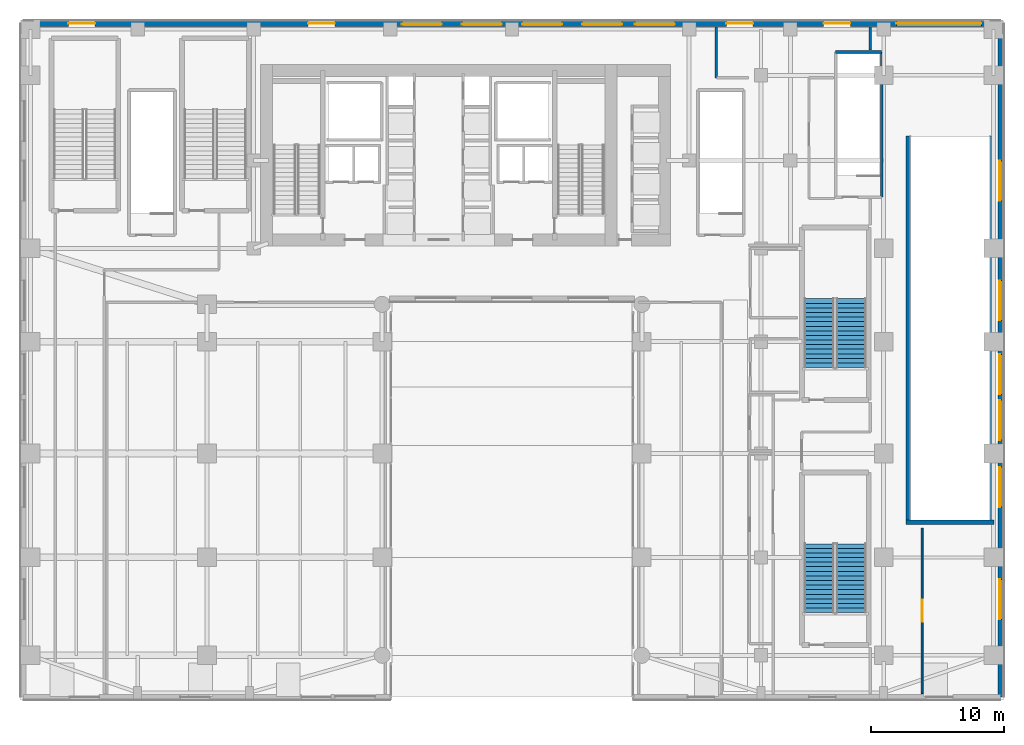
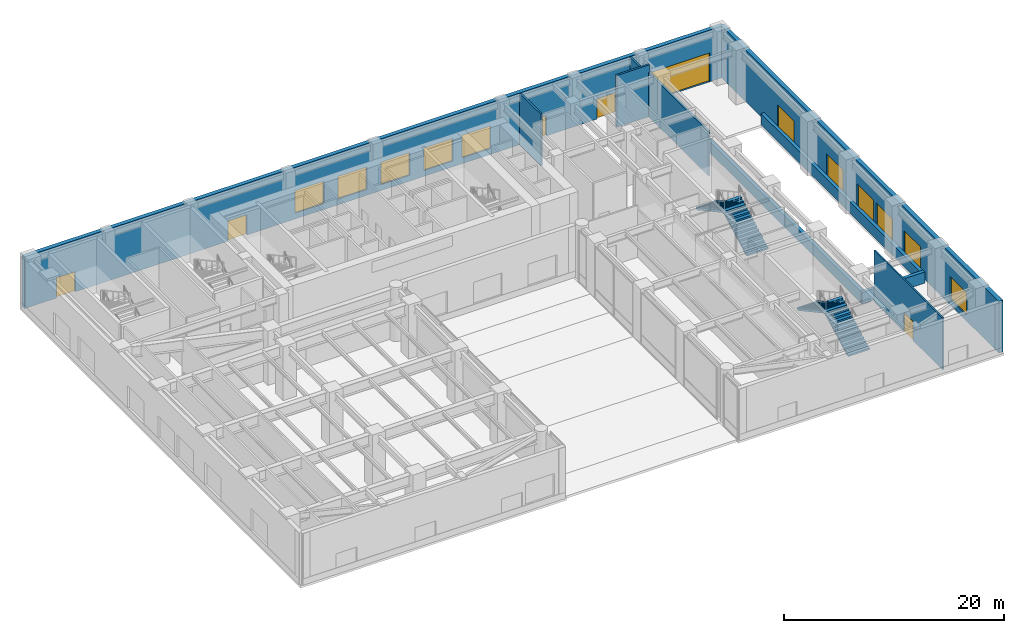
# One storey, part 17 of 28: 11 windows, 10 walls, 6 doors, 4 stair flights, 17 openings, 2 elements without a shape of their own.
"""IFC4 building model written with IfcOpenShell, lengths in metres."""

from ifc_helpers import new_model, si_unit, direction, frame, frame_2d, origin, place, context, subcontext, project, spatial, polyline, rectangle, outline, extrude, source, transform, mapped, material, layer, layer_set, type_object, type_shapes, element, fill, aggregate, save


model = new_model("IFC4")

# Units and contexts
model_context = context("Model", 3, precision=1e-05, world=origin(), true_north=direction((0.0, 1.0)))
body_context = subcontext(model_context, "Body", "Model", "MODEL_VIEW")
ifc_project = project(units=[si_unit("LENGTHUNIT", "METRE"), si_unit("AREAUNIT", "SQUARE_METRE"), si_unit("VOLUMEUNIT", "CUBIC_METRE"), si_unit("PLANEANGLEUNIT", "RADIAN"), si_unit("MASSUNIT", "GRAM", prefix="KILO")], contexts=[model_context])

# Site, building, storey
site_placement = place(None, origin())
site = spatial("IfcSite", under=ifc_project, at=site_placement, CompositionType="ELEMENT")
building_placement = place(site_placement, origin())
building = spatial("IfcBuilding", under=site, at=building_placement, Name="Tolvann Quenvar Hotel", CompositionType="ELEMENT")
storey_placement = place(building_placement, origin())
storey = spatial("IfcBuildingStorey", under=building, at=storey_placement, Name="L00", CompositionType="ELEMENT", Elevation=0.0)

# Walls
ifc_material_1 = material(Name="Concrete S65 (65 MPa)", Category="concrete")
ifc_layer_1 = layer(ifc_material_1, 0.35009765625)
ifc_layer_set_1 = layer_set([ifc_layer_1], Name="Concrete S65 (65 MPa)")
wall_type_1 = type_object("IfcWallType", Name="WALL_CORE_INT_350", PredefinedType="SHEAR", material=ifc_layer_set_1)
for number, where, z_axis, x_axis, name in (
    (1, (58.27490234375, 10.85009765625, 0.0), (0.0, 0.0, 1.0), (0.0, 1.0, 0.0), "Vehicle Ramp Head Guard Wall W (L00)"),
    (2, (64.52490234375, 10.85009765625, 0.0), (0.0, 0.0, 1.0), (0.0, 1.0, 0.0), "Vehicle Ramp Head Guard Wall E (L00)"),
):
    element("IfcWall", number, at=place(storey_placement, frame(where, z_axis=z_axis, x_axis=x_axis)), inside=storey, type_object=wall_type_1, Name=name, PredefinedType="SHEAR", context=body_context, shape_type="SweptSolid", body=[
        extrude(rectangle(XDim=29.0, YDim=0.35009765625, at=frame_2d((14.5, 0.0))), origin(), (0.0, 0.0, 1.0), 1.25),
    ])
wall_1_placement = place(storey_placement, frame((58.10009765625, 10.85009765625, 0.0), z_axis=(0.0, 0.0, 1.0), x_axis=(1.0, 0.0, 0.0)))
element("IfcWall", 3, at=wall_1_placement, inside=storey, type_object=wall_type_1, Name="Vehicle Ramp Head Guard Wall S (L00)", PredefinedType="SHEAR", context=body_context, shape_type="SweptSolid", body=[
    extrude(rectangle(XDim=6.599853515625, YDim=0.35009765625, at=frame_2d((3.2998046875, 0.0))), origin(), (0.0, 0.0, 1.0), 1.25),
])

# Wall, openings, windows
ifc_material_2 = material(Name="Kiln-fired red and buff architectural clay brickwork and terracotta masonry", Category="masonry")
ifc_layer_2 = layer(ifc_material_2, 0.419921875)
ifc_layer_set_2 = layer_set([ifc_layer_2], Name="Kiln-fired red and buff architectural clay brickwork and terracotta masonry")
wall_type_2 = type_object("IfcWallType", Name="WALL_EXT_POD_420", PredefinedType="SOLIDWALL", material=ifc_layer_set_2)
wall_2_placement = place(storey_placement, frame((65.18994140625, -2.2900390625, 0.0), z_axis=(0.0, 0.0, 1.0), x_axis=(0.0, 1.0, 0.0)))
wall_2 = element("IfcWall", 4, at=wall_2_placement, inside=storey, type_object=wall_type_2, Name="Exterior Chicago Brick Wall L00-E05", PredefinedType="SOLIDWALL", context=body_context, shape_type="SweptSolid", body=[
    extrude(rectangle(XDim=50.580078125, YDim=0.419921875, at=frame_2d((25.2900390625, 0.0))), origin(), (0.0, 0.0, 1.0), 5.739990234375),
])
opening_1_placement = place(wall_2_placement, frame((5.833984375, 0.0, 0.64990234375)))
opening_1 = element("IfcOpeningElement", 5, at=opening_1_placement, cuts=wall_2, Name="Opening W-05", PredefinedType="OPENING", context=body_context, shape_type="SweptSolid", body=[
    extrude(rectangle(XDim=3.0, YDim=2.5, at=frame_2d((1.5, 1.25))), frame((0.0, 0.219970703125, 0.0), z_axis=(0.0, -1.0, 0.0), x_axis=(1.0, 0.0, 0.0)), (0.0, 0.0, 1.0), 0.43994140625),
])
opening_2_placement = place(wall_2_placement, frame((14.261962890625, 0.0, 0.64990234375)))
opening_2 = element("IfcOpeningElement", 6, at=opening_2_placement, cuts=wall_2, Name="Opening W-05", PredefinedType="OPENING", context=body_context, shape_type="SweptSolid", body=[
    extrude(rectangle(XDim=3.0, YDim=2.5, at=frame_2d((1.5, 1.25))), frame((0.0, 0.219970703125, 0.0), z_axis=(0.0, -1.0, 0.0), x_axis=(1.0, 0.0, 0.0)), (0.0, 0.0, 1.0), 0.43994140625),
])
opening_3_placement = place(wall_2_placement, frame((19.301025390625, 0.0, 0.64990234375)))
opening_3 = element("IfcOpeningElement", 7, at=opening_3_placement, cuts=wall_2, Name="Opening W-05", PredefinedType="OPENING", context=body_context, shape_type="SweptSolid", body=[
    extrude(rectangle(XDim=3.0, YDim=2.5, at=frame_2d((1.5, 1.25))), frame((0.0, 0.219970703125, 0.0), z_axis=(0.0, -1.0, 0.0), x_axis=(1.0, 0.0, 0.0)), (0.0, 0.0, 1.0), 0.43994140625),
])
opening_4_placement = place(wall_2_placement, frame((22.739990234375, 0.0, 0.64990234375)))
opening_4 = element("IfcOpeningElement", 8, at=opening_4_placement, cuts=wall_2, Name="Opening W-05", PredefinedType="OPENING", context=body_context, shape_type="SweptSolid", body=[
    extrude(rectangle(XDim=3.0, YDim=2.5, at=frame_2d((1.5, 1.25))), frame((0.0, 0.219970703125, 0.0), z_axis=(0.0, -1.0, 0.0), x_axis=(1.0, 0.0, 0.0)), (0.0, 0.0, 1.0), 0.43994140625),
])
opening_5_placement = place(wall_2_placement, frame((28.279052734375, 0.0, 0.64990234375)))
opening_5 = element("IfcOpeningElement", 9, at=opening_5_placement, cuts=wall_2, Name="Opening W-05", PredefinedType="OPENING", context=body_context, shape_type="SweptSolid", body=[
    extrude(rectangle(XDim=3.0, YDim=2.5, at=frame_2d((1.5, 1.25))), frame((0.0, 0.219970703125, 0.0), z_axis=(0.0, -1.0, 0.0), x_axis=(1.0, 0.0, 0.0)), (0.0, 0.0, 1.0), 0.43994140625),
])
opening_6_placement = place(wall_2_placement, frame((37.257080078125, 0.0, 0.64990234375)))
opening_6 = element("IfcOpeningElement", 10, at=opening_6_placement, cuts=wall_2, Name="Opening W-05", PredefinedType="OPENING", context=body_context, shape_type="SweptSolid", body=[
    extrude(rectangle(XDim=3.0, YDim=2.5, at=frame_2d((1.5, 1.25))), frame((0.0, 0.219970703125, 0.0), z_axis=(0.0, -1.0, 0.0), x_axis=(1.0, 0.0, 0.0)), (0.0, 0.0, 1.0), 0.43994140625),
])
ifc_material_3 = material(Name="Thermally broken bronze-anodised aluminium frame with double low-E glazing", Category="aluminium")
window_type = type_object("IfcWindowType", Name="WIN_POD_3000x2600", PartitioningType="TRIPLE_PANEL_HORIZONTAL", PredefinedType="WINDOW", material=ifc_material_3)
shared_shape_1 = source(origin(), body_context, "Body", "SweptSolid", [
    extrude(rectangle(XDim=3.0, YDim=2.5, at=frame_2d((1.5, 1.25))), frame((0.0, 0.090087890625, 0.0), z_axis=(0.0, -1.0, 0.0), x_axis=(1.0, 0.0, 0.0)), (0.0, 0.0, 1.0), 0.06005859375),
])
type_shapes(window_type, [shared_shape_1])
window_1_placement = place(opening_1_placement, origin())
window_1 = element("IfcWindow", 11, at=window_1_placement, inside=storey, type_object=window_type, Name="Chicago Window W-05 (EW-L00-E05-W01)", OverallHeight=2.5, OverallWidth=3.0, PartitioningType="TRIPLE_PANEL_HORIZONTAL", PredefinedType="WINDOW", context=body_context, shape_type="MappedRepresentation", body=[
    mapped(shared_shape_1, transform((0.0, 0.0, 0.0), x_axis=(1.0, 0.0, 0.0), y_axis=(0.0, 1.0, 0.0), z_axis=(0.0, 0.0, 1.0), scale=1.0)),
])
fill(opening_1, window_1)
window_2_placement = place(opening_2_placement, origin())
window_2 = element("IfcWindow", 12, at=window_2_placement, inside=storey, type_object=window_type, Name="Chicago Window W-05 (EW-L00-E05-W02)", OverallHeight=2.5, OverallWidth=3.0, PartitioningType="TRIPLE_PANEL_HORIZONTAL", PredefinedType="WINDOW", context=body_context, shape_type="MappedRepresentation", body=[
    mapped(shared_shape_1, transform((0.0, 0.0, 0.0), x_axis=(1.0, 0.0, 0.0), y_axis=(0.0, 1.0, 0.0), z_axis=(0.0, 0.0, 1.0), scale=1.0)),
])
fill(opening_2, window_2)
window_3_placement = place(opening_3_placement, origin())
window_3 = element("IfcWindow", 13, at=window_3_placement, inside=storey, type_object=window_type, Name="Chicago Window W-05 (EW-L00-E05-W03)", OverallHeight=2.5, OverallWidth=3.0, PartitioningType="TRIPLE_PANEL_HORIZONTAL", PredefinedType="WINDOW", context=body_context, shape_type="MappedRepresentation", body=[
    mapped(shared_shape_1, transform((0.0, 0.0, 0.0), x_axis=(1.0, 0.0, 0.0), y_axis=(0.0, 1.0, 0.0), z_axis=(0.0, 0.0, 1.0), scale=1.0)),
])
fill(opening_3, window_3)
window_4_placement = place(opening_4_placement, origin())
window_4 = element("IfcWindow", 14, at=window_4_placement, inside=storey, type_object=window_type, Name="Chicago Window W-05 (EW-L00-E05-W04)", OverallHeight=2.5, OverallWidth=3.0, PartitioningType="TRIPLE_PANEL_HORIZONTAL", PredefinedType="WINDOW", context=body_context, shape_type="MappedRepresentation", body=[
    mapped(shared_shape_1, transform((0.0, 0.0, 0.0), x_axis=(1.0, 0.0, 0.0), y_axis=(0.0, 1.0, 0.0), z_axis=(0.0, 0.0, 1.0), scale=1.0)),
])
fill(opening_4, window_4)
window_5_placement = place(opening_5_placement, origin())
window_5 = element("IfcWindow", 15, at=window_5_placement, inside=storey, type_object=window_type, Name="Chicago Window W-05 (EW-L00-E05-W05)", OverallHeight=2.5, OverallWidth=3.0, PartitioningType="TRIPLE_PANEL_HORIZONTAL", PredefinedType="WINDOW", context=body_context, shape_type="MappedRepresentation", body=[
    mapped(shared_shape_1, transform((0.0, 0.0, 0.0), x_axis=(1.0, 0.0, 0.0), y_axis=(0.0, 1.0, 0.0), z_axis=(0.0, 0.0, 1.0), scale=1.0)),
])
fill(opening_5, window_5)
window_6_placement = place(opening_6_placement, origin())
window_6 = element("IfcWindow", 16, at=window_6_placement, inside=storey, type_object=window_type, Name="Chicago Window W-05 (EW-L00-E05-W06)", OverallHeight=2.5, OverallWidth=3.0, PartitioningType="TRIPLE_PANEL_HORIZONTAL", PredefinedType="WINDOW", context=body_context, shape_type="MappedRepresentation", body=[
    mapped(shared_shape_1, transform((0.0, 0.0, 0.0), x_axis=(1.0, 0.0, 0.0), y_axis=(0.0, 1.0, 0.0), z_axis=(0.0, 0.0, 1.0), scale=1.0)),
])
fill(opening_6, window_6)

# Wall, openings, windows, doors
wall_3_placement = place(storey_placement, frame((65.18994140625, 48.2900390625, 0.0), z_axis=(0.0, 0.0, 1.0), x_axis=(-1.0, 0.0, 0.0)))
wall_3 = element("IfcWall", 17, at=wall_3_placement, inside=storey, type_object=wall_type_2, Name="Exterior Chicago Brick Wall L00-E06", PredefinedType="SOLIDWALL", context=body_context, shape_type="SweptSolid", body=[
    extrude(rectangle(XDim=73.3798828125, YDim=0.419921875, at=frame_2d((36.68994140625, 0.0))), origin(), (0.0, 0.0, 1.0), 5.739990234375),
])
opening_7_placement = place(wall_3_placement, frame((7.83984375, 0.0, 0.0), z_axis=(0.0, 0.0, 1.0), x_axis=(-1.0, 0.0, 0.0)))
opening_7 = element("IfcOpeningElement", 18, at=opening_7_placement, cuts=wall_3, Name="Opening SG-01", PredefinedType="OPENING", context=body_context, shape_type="SweptSolid", body=[
    extrude(rectangle(XDim=6.39990234375, YDim=3.199951171875, at=frame_2d((3.199951171875, 1.60009765625))), frame((0.0, 0.219970703125, 0.0), z_axis=(0.0, -1.0, 0.0), x_axis=(1.0, 0.0, 0.0)), (0.0, 0.0, 1.0), 0.43994140625),
])
opening_8_placement = place(wall_3_placement, frame((13.2900390625, 0.0, 0.0), z_axis=(0.0, 0.0, 1.0), x_axis=(-1.0, 0.0, 0.0)))
opening_8 = element("IfcOpeningElement", 19, at=opening_8_placement, cuts=wall_3, Name="Opening EX-D1", PredefinedType="OPENING", context=body_context, shape_type="SweptSolid", body=[
    extrude(rectangle(XDim=2.0, YDim=2.25, at=frame_2d((1.0, 1.125))), frame((0.0, 0.219970703125, 0.0), z_axis=(0.0, -1.0, 0.0), x_axis=(1.0, 0.0, 0.0)), (0.0, 0.0, 1.0), 0.43994140625),
])
opening_9_placement = place(wall_3_placement, frame((20.590087890625, 0.0, 0.0), z_axis=(0.0, 0.0, 1.0), x_axis=(-1.0, 0.0, 0.0)))
opening_9 = element("IfcOpeningElement", 20, at=opening_9_placement, cuts=wall_3, Name="Opening EX-D1", PredefinedType="OPENING", context=body_context, shape_type="SweptSolid", body=[
    extrude(rectangle(XDim=2.0, YDim=2.25, at=frame_2d((1.0, 1.125))), frame((0.0, 0.219970703125, 0.0), z_axis=(0.0, -1.0, 0.0), x_axis=(1.0, 0.0, 0.0)), (0.0, 0.0, 1.0), 0.43994140625),
])
opening_10_placement = place(wall_3_placement, frame((51.989990234375, 0.0, 0.0), z_axis=(0.0, 0.0, 1.0), x_axis=(-1.0, 0.0, 0.0)))
opening_10 = element("IfcOpeningElement", 21, at=opening_10_placement, cuts=wall_3, Name="Opening EX-D1", PredefinedType="OPENING", context=body_context, shape_type="SweptSolid", body=[
    extrude(rectangle(XDim=2.0, YDim=2.25, at=frame_2d((1.0, 1.125))), frame((0.0, 0.219970703125, 0.0), z_axis=(0.0, -1.0, 0.0), x_axis=(1.0, 0.0, 0.0)), (0.0, 0.0, 1.0), 0.43994140625),
])
opening_11_placement = place(wall_3_placement, frame((69.989990234375, 0.0, 0.0), z_axis=(0.0, 0.0, 1.0), x_axis=(-1.0, 0.0, 0.0)))
opening_11 = element("IfcOpeningElement", 22, at=opening_11_placement, cuts=wall_3, Name="Opening EX-D1", PredefinedType="OPENING", context=body_context, shape_type="SweptSolid", body=[
    extrude(rectangle(XDim=2.0, YDim=2.25, at=frame_2d((1.0, 1.125))), frame((0.0, 0.219970703125, 0.0), z_axis=(0.0, -1.0, 0.0), x_axis=(1.0, 0.0, 0.0)), (0.0, 0.0, 1.0), 0.43994140625),
])
opening_12_placement = place(wall_3_placement, frame((24.4619140625, 0.0, 0.64990234375)))
opening_12 = element("IfcOpeningElement", 23, at=opening_12_placement, cuts=wall_3, Name="Opening W-05", PredefinedType="OPENING", context=body_context, shape_type="SweptSolid", body=[
    extrude(rectangle(XDim=3.0, YDim=2.5, at=frame_2d((1.5, 1.25))), frame((0.0, 0.219970703125, 0.0), z_axis=(0.0, -1.0, 0.0), x_axis=(1.0, 0.0, 0.0)), (0.0, 0.0, 1.0), 0.43994140625),
])
opening_13_placement = place(wall_3_placement, frame((28.423095703125, 0.0, 0.64990234375)))
opening_13 = element("IfcOpeningElement", 24, at=opening_13_placement, cuts=wall_3, Name="Opening W-05", PredefinedType="OPENING", context=body_context, shape_type="SweptSolid", body=[
    extrude(rectangle(XDim=3.0, YDim=2.5, at=frame_2d((1.5, 1.25))), frame((0.0, 0.219970703125, 0.0), z_axis=(0.0, -1.0, 0.0), x_axis=(1.0, 0.0, 0.0)), (0.0, 0.0, 1.0), 0.43994140625),
])
opening_14_placement = place(wall_3_placement, frame((32.93408203125, 0.0, 0.64990234375)))
opening_14 = element("IfcOpeningElement", 25, at=opening_14_placement, cuts=wall_3, Name="Opening W-05", PredefinedType="OPENING", context=body_context, shape_type="SweptSolid", body=[
    extrude(rectangle(XDim=3.0, YDim=2.5, at=frame_2d((1.5, 1.25))), frame((0.0, 0.219970703125, 0.0), z_axis=(0.0, -1.0, 0.0), x_axis=(1.0, 0.0, 0.0)), (0.0, 0.0, 1.0), 0.43994140625),
])
opening_15_placement = place(wall_3_placement, frame((37.446044921875, 0.0, 0.64990234375)))
opening_15 = element("IfcOpeningElement", 26, at=opening_15_placement, cuts=wall_3, Name="Opening W-05", PredefinedType="OPENING", context=body_context, shape_type="SweptSolid", body=[
    extrude(rectangle(XDim=3.0, YDim=2.5, at=frame_2d((1.5, 1.25))), frame((0.0, 0.219970703125, 0.0), z_axis=(0.0, -1.0, 0.0), x_axis=(1.0, 0.0, 0.0)), (0.0, 0.0, 1.0), 0.43994140625),
])
opening_16_placement = place(wall_3_placement, frame((41.95703125, 0.0, 0.64990234375)))
opening_16 = element("IfcOpeningElement", 27, at=opening_16_placement, cuts=wall_3, Name="Opening W-05", PredefinedType="OPENING", context=body_context, shape_type="SweptSolid", body=[
    extrude(rectangle(XDim=3.0, YDim=2.5, at=frame_2d((1.5, 1.25))), frame((0.0, 0.219970703125, 0.0), z_axis=(0.0, -1.0, 0.0), x_axis=(1.0, 0.0, 0.0)), (0.0, 0.0, 1.0), 0.43994140625),
])
window_7_placement = place(opening_12_placement, origin())
window_7 = element("IfcWindow", 28, at=window_7_placement, inside=storey, type_object=window_type, Name="Chicago Window W-05 (EW-L00-E06-W01)", OverallHeight=2.5, OverallWidth=3.0, PartitioningType="TRIPLE_PANEL_HORIZONTAL", PredefinedType="WINDOW", context=body_context, shape_type="MappedRepresentation", body=[
    mapped(shared_shape_1, transform((0.0, 0.0, 0.0), x_axis=(1.0, 0.0, 0.0), y_axis=(0.0, 1.0, 0.0), z_axis=(0.0, 0.0, 1.0), scale=1.0)),
])
fill(opening_12, window_7)
window_8_placement = place(opening_13_placement, origin())
window_8 = element("IfcWindow", 29, at=window_8_placement, inside=storey, type_object=window_type, Name="Chicago Window W-05 (EW-L00-E06-W02)", OverallHeight=2.5, OverallWidth=3.0, PartitioningType="TRIPLE_PANEL_HORIZONTAL", PredefinedType="WINDOW", context=body_context, shape_type="MappedRepresentation", body=[
    mapped(shared_shape_1, transform((0.0, 0.0, 0.0), x_axis=(1.0, 0.0, 0.0), y_axis=(0.0, 1.0, 0.0), z_axis=(0.0, 0.0, 1.0), scale=1.0)),
])
fill(opening_13, window_8)
window_9_placement = place(opening_14_placement, origin())
window_9 = element("IfcWindow", 30, at=window_9_placement, inside=storey, type_object=window_type, Name="Chicago Window W-05 (EW-L00-E06-W03)", OverallHeight=2.5, OverallWidth=3.0, PartitioningType="TRIPLE_PANEL_HORIZONTAL", PredefinedType="WINDOW", context=body_context, shape_type="MappedRepresentation", body=[
    mapped(shared_shape_1, transform((0.0, 0.0, 0.0), x_axis=(1.0, 0.0, 0.0), y_axis=(0.0, 1.0, 0.0), z_axis=(0.0, 0.0, 1.0), scale=1.0)),
])
fill(opening_14, window_9)
window_10_placement = place(opening_15_placement, origin())
window_10 = element("IfcWindow", 31, at=window_10_placement, inside=storey, type_object=window_type, Name="Chicago Window W-05 (EW-L00-E06-W04)", OverallHeight=2.5, OverallWidth=3.0, PartitioningType="TRIPLE_PANEL_HORIZONTAL", PredefinedType="WINDOW", context=body_context, shape_type="MappedRepresentation", body=[
    mapped(shared_shape_1, transform((0.0, 0.0, 0.0), x_axis=(1.0, 0.0, 0.0), y_axis=(0.0, 1.0, 0.0), z_axis=(0.0, 0.0, 1.0), scale=1.0)),
])
fill(opening_15, window_10)
window_11_placement = place(opening_16_placement, origin())
window_11 = element("IfcWindow", 32, at=window_11_placement, inside=storey, type_object=window_type, Name="Chicago Window W-05 (EW-L00-E06-W05)", OverallHeight=2.5, OverallWidth=3.0, PartitioningType="TRIPLE_PANEL_HORIZONTAL", PredefinedType="WINDOW", context=body_context, shape_type="MappedRepresentation", body=[
    mapped(shared_shape_1, transform((0.0, 0.0, 0.0), x_axis=(1.0, 0.0, 0.0), y_axis=(0.0, 1.0, 0.0), z_axis=(0.0, 0.0, 1.0), scale=1.0)),
])
fill(opening_16, window_11)
ifc_material_4 = material(Name="Bronze-anodised thermally broken aluminium glazed entrance door", Category="aluminium")
door_type_1 = type_object("IfcDoorType", Name="DOOR_EXT_FINAL_2000", OperationType="NOTDEFINED", PredefinedType="DOOR", material=ifc_material_4)
shared_shape_2 = source(origin(), body_context, "Body", "SweptSolid", [
    extrude(rectangle(XDim=2.0, YDim=2.25, at=frame_2d((1.0, 1.125))), frame((0.0, 0.02490234375, 0.0), z_axis=(0.0, -1.0, 0.0), x_axis=(1.0, 0.0, 0.0)), (0.0, 0.0, 1.0), 0.050048828125),
])
type_shapes(door_type_1, [shared_shape_2])
door_1_placement = place(opening_8_placement, origin())
door_1 = element("IfcDoor", 33, at=door_1_placement, inside=storey, type_object=door_type_1, Name="Final Exit Discharge Door EX-N1", OperationType="DOUBLE_DOOR_SINGLE_SWING", OverallHeight=2.25, OverallWidth=2.0, PredefinedType="DOOR", context=body_context, shape_type="MappedRepresentation", body=[
    mapped(shared_shape_2, transform((0.0, 0.0, 0.0), x_axis=(1.0, 0.0, 0.0), y_axis=(0.0, 1.0, 0.0), z_axis=(0.0, 0.0, 1.0), scale=1.0)),
])
fill(opening_8, door_1)
door_2_placement = place(opening_9_placement, origin())
door_2 = element("IfcDoor", 34, at=door_2_placement, inside=storey, type_object=door_type_1, Name="Final Exit Discharge Door EX-N2", OperationType="DOUBLE_DOOR_SINGLE_SWING", OverallHeight=2.25, OverallWidth=2.0, PredefinedType="DOOR", context=body_context, shape_type="MappedRepresentation", body=[
    mapped(shared_shape_2, transform((0.0, 0.0, 0.0), x_axis=(1.0, 0.0, 0.0), y_axis=(0.0, 1.0, 0.0), z_axis=(0.0, 0.0, 1.0), scale=1.0)),
])
fill(opening_9, door_2)
door_3_placement = place(opening_10_placement, origin())
door_3 = element("IfcDoor", 35, at=door_3_placement, inside=storey, type_object=door_type_1, Name="Final Exit Discharge Door EX-N3", OperationType="DOUBLE_DOOR_SINGLE_SWING", OverallHeight=2.25, OverallWidth=2.0, PredefinedType="DOOR", context=body_context, shape_type="MappedRepresentation", body=[
    mapped(shared_shape_2, transform((0.0, 0.0, 0.0), x_axis=(1.0, 0.0, 0.0), y_axis=(0.0, 1.0, 0.0), z_axis=(0.0, 0.0, 1.0), scale=1.0)),
])
fill(opening_10, door_3)
door_4_placement = place(opening_11_placement, origin())
door_4 = element("IfcDoor", 36, at=door_4_placement, inside=storey, type_object=door_type_1, Name="Final Exit Discharge Door EX-N4", OperationType="DOUBLE_DOOR_SINGLE_SWING", OverallHeight=2.25, OverallWidth=2.0, PredefinedType="DOOR", context=body_context, shape_type="MappedRepresentation", body=[
    mapped(shared_shape_2, transform((0.0, 0.0, 0.0), x_axis=(1.0, 0.0, 0.0), y_axis=(0.0, 1.0, 0.0), z_axis=(0.0, 0.0, 1.0), scale=1.0)),
])
fill(opening_11, door_4)
ifc_material_5 = material(Name="Heavy-duty powder-coated galvanised steel security shutter gate", Category="steel")
door_type_2 = type_object("IfcDoorType", Name="GATE_VEH_6400x3200", OperationType="NOTDEFINED", PredefinedType="GATE", material=ifc_material_5)
shared_shape_3 = source(origin(), body_context, "Body", "SweptSolid", [
    extrude(rectangle(XDim=6.39990234375, YDim=3.199951171875, at=frame_2d((3.199951171875, 1.60009765625))), frame((0.0, 0.02490234375, 0.0), z_axis=(0.0, -1.0, 0.0), x_axis=(1.0, 0.0, 0.0)), (0.0, 0.0, 1.0), 0.050048828125),
])
type_shapes(door_type_2, [shared_shape_3])
door_5_placement = place(opening_7_placement, origin())
door_5 = element("IfcDoor", 37, at=door_5_placement, inside=storey, type_object=door_type_2, Name="Car Park Vehicle Entry Shutter Gate SG-01", OperationType="ROLLINGUP", OverallHeight=3.199951171875, OverallWidth=6.39990234375, PredefinedType="GATE", context=body_context, shape_type="MappedRepresentation", body=[
    mapped(shared_shape_3, transform((0.0, 0.0, 0.0), x_axis=(1.0, 0.0, 0.0), y_axis=(0.0, 1.0, 0.0), z_axis=(0.0, 0.0, 1.0), scale=1.0)),
])
fill(opening_7, door_5)

# Walls
ifc_material_6 = material(Name="Acoustic twin-stud fire-rated gypsum plasterboard partition")
ifc_layer_3 = layer(ifc_material_6, 0.179931640625)
ifc_layer_set_3 = layer_set([ifc_layer_3], Name="Acoustic twin-stud fire-rated gypsum plasterboard partition")
wall_type_3 = type_object("IfcWallType", Name="WALL_PART_ACOUSTIC_180", PredefinedType="PARTITIONING", material=ifc_layer_set_3)
wall_4_placement = place(storey_placement, frame((55.39990234375, 46.304931640625, 0.0), z_axis=(0.0, 0.0, 1.0), x_axis=(0.0, 1.0, 0.0)))
element("IfcWall", 38, at=wall_4_placement, inside=storey, type_object=wall_type_3, Name="Interior Partition PT-SPC-L00-EDP-NE-E12", PredefinedType="PARTITIONING", context=body_context, shape_type="SweptSolid", body=[
    extrude(rectangle(XDim=1.719970703125, YDim=0.179931640625, at=frame_2d((0.85986328125, 0.0))), origin(), (0.0, 0.0, 1.0), 5.739990234375),
])
wall_5_placement = place(storey_placement, frame((43.85009765625, 44.199951171875, 0.0), z_axis=(0.0, 0.0, 1.0), x_axis=(0.0, 1.0, 0.0)))
element("IfcWall", 39, at=wall_5_placement, inside=storey, type_object=wall_type_3, Name="Interior Partition PT-SPC-L00-EDP-NE-E14", PredefinedType="PARTITIONING", context=body_context, shape_type="SweptSolid", body=[
    extrude(rectangle(XDim=3.824951171875, YDim=0.179931640625, at=frame_2d((1.91259765625, 0.0))), origin(), (0.0, 0.0, 1.0), 5.739990234375),
])

# Wall, opening, door
ifc_layer_4 = layer(ifc_material_6, 0.14990234375)
ifc_layer_set_4 = layer_set([ifc_layer_4], Name="Acoustic twin-stud fire-rated gypsum plasterboard partition")
wall_type_4 = type_object("IfcWallType", Name="WALL_PART_SUITE_150", PredefinedType="PARTITIONING", material=ifc_layer_set_4)
wall_6_placement = place(storey_placement, frame((59.300048828125, -2.02490234375, 0.0), z_axis=(0.0, 0.0, 1.0), x_axis=(0.0, 1.0, 0.0)))
wall_6 = element("IfcWall", 40, at=wall_6_placement, inside=storey, type_object=wall_type_4, Name="Interior Partition PT-SPC-L00-RET-W", PredefinedType="PARTITIONING", context=body_context, shape_type="SweptSolid", body=[
    extrude(rectangle(XDim=12.4248046875, YDim=0.14990234375, at=frame_2d((6.21240234375, 0.0))), origin(), (0.0, 0.0, 1.0), 5.739990234375),
])
opening_17_placement = place(wall_6_placement, frame((5.387451171875, 0.0, 0.0)))
opening_17 = element("IfcOpeningElement", 41, at=opening_17_placement, cuts=wall_6, Name="Opening AD-01", PredefinedType="OPENING", context=body_context, shape_type="SweptSolid", body=[
    extrude(rectangle(XDim=1.64990234375, YDim=2.14990234375, at=frame_2d((0.824951171875, 1.074951171875))), frame((0.0, 0.0849609375, 0.0), z_axis=(0.0, -1.0, 0.0), x_axis=(1.0, 0.0, 0.0)), (0.0, 0.0, 1.0), 0.169921875),
])
ifc_material_7 = material(Name="Solid-core American oak acoustic fire door leaf in steel frame", Category="steel")
door_type_3 = type_object("IfcDoorType", Name="DOOR_SALON_1650", OperationType="NOTDEFINED", PredefinedType="DOOR", material=ifc_material_7)
shared_shape_4 = source(origin(), body_context, "Body", "SweptSolid", [
    extrude(rectangle(XDim=1.64990234375, YDim=2.14990234375, at=frame_2d((0.824951171875, 1.074951171875))), frame((0.0, 0.02490234375, 0.0), z_axis=(0.0, -1.0, 0.0), x_axis=(1.0, 0.0, 0.0)), (0.0, 0.0, 1.0), 0.050048828125),
])
type_shapes(door_type_3, [shared_shape_4])
door_6_placement = place(opening_17_placement, origin())
door_6 = element("IfcDoor", 42, at=door_6_placement, inside=storey, type_object=door_type_3, Name="Interior Door DOOR-SPC-L00-RET", OperationType="DOUBLE_DOOR_SINGLE_SWING", OverallHeight=2.14990234375, OverallWidth=1.64990234375, PredefinedType="DOOR", context=body_context, shape_type="MappedRepresentation", body=[
    mapped(shared_shape_4, transform((0.0, 0.0, 0.0), x_axis=(1.0, 0.0, 0.0), y_axis=(0.0, 1.0, 0.0), z_axis=(0.0, 0.0, 1.0), scale=1.0)),
])
fill(opening_17, door_6)

# Walls
ifc_material_8 = material(Name="Concrete N40 (40 MPa)", Category="concrete")
ifc_layer_5 = layer(ifc_material_8, 0.199951171875)
ifc_layer_set_5 = layer_set([ifc_layer_5], Name="Concrete N40 (40 MPa)")
wall_type_5 = type_object("IfcWallType", Name="WALL_SHAFT_200", PredefinedType="SOLIDWALL", material=ifc_layer_set_5)
wall_7_placement = place(storey_placement, frame((56.25, 35.25, 0.0), z_axis=(0.0, 0.0, 1.0), x_axis=(0.0, 1.0, 0.0)))
element("IfcWall", 43, at=wall_7_placement, inside=storey, type_object=wall_type_5, Name="Stairwell ST-B3 Fire Wall E (L00)", PredefinedType="SOLIDWALL", context=body_context, shape_type="SweptSolid", body=[
    extrude(rectangle(XDim=10.89990234375, YDim=0.199951171875, at=frame_2d((5.449951171875, 0.0))), origin(), (0.0, 0.0, 1.0), 4.9140625),
])
wall_8_placement = place(storey_placement, frame((56.25, 46.14990234375, 0.0), z_axis=(0.0, 0.0, 1.0), x_axis=(-1.0, 0.0, 0.0)))
element("IfcWall", 44, at=wall_8_placement, inside=storey, type_object=wall_type_5, Name="Stairwell ST-B3 Fire Wall N (L00)", PredefinedType="SOLIDWALL", context=body_context, shape_type="SweptSolid", body=[
    extrude(rectangle(XDim=3.449951171875, YDim=0.199951171875, at=frame_2d((1.72509765625, 0.0))), origin(), (0.0, 0.0, 1.0), 5.739990234375),
])

# Stair, stair flights
stair_type = type_object("IfcStairType", Name="STAIR", PredefinedType="HALF_TURN_STAIR", material=ifc_material_8)
stair_1_placement = place(storey_placement, origin())
stair_1 = element("IfcStair", 45, at=stair_1_placement, inside=storey, type_object=stair_type, Name="L00 ST-P3", PredefinedType="HALF_TURN_STAIR")
stair_flight_type = type_object("IfcStairFlightType", Name="STAIR_FLIGHT", PredefinedType="STRAIGHT", material=ifc_material_8)
stair_flight_1_placement = place(storey_placement, frame((53.97509765625, 4.050048828125, 0.0), z_axis=(0.0, 0.0, 1.0), x_axis=(0.0, 1.0, 0.0)))
stair_flight_1 = element("IfcStairFlight", 46, at=stair_flight_1_placement, type_object=stair_flight_type, Name="ST-P3 flight 1", NumberOfRisers=16, NumberOfTreads=15, PredefinedType="STRAIGHT", RiserHeight=0.1875, TreadLength=0.345, context=body_context, shape_type="SweptSolid", body=[
    extrude(outline(polyline([(0.0, 0.0), (0.0, 0.1875), (0.344970703125, 0.1875), (0.344970703125, 0.375), (0.68994140625, 0.375), (0.68994140625, 0.5625), (1.034912109375, 0.5625), (1.034912109375, 0.75), (1.3798828125, 0.75), (1.3798828125, 0.9375), (1.72509765625, 0.9375), (1.72509765625, 1.125), (2.070068359375, 1.125), (2.070068359375, 1.3125), (2.4150390625, 1.3125), (2.4150390625, 1.5), (2.760009765625, 1.5), (2.760009765625, 1.6875), (3.10498046875, 1.6875), (3.10498046875, 1.875), (3.449951171875, 1.875), (3.449951171875, 2.0625), (3.794921875, 2.0625), (3.794921875, 2.25), (4.139892578125, 2.25), (4.139892578125, 2.4375), (4.485107421875, 2.4375), (4.485107421875, 2.625), (4.830078125, 2.625), (4.830078125, 2.8125), (5.175048828125, 2.8125), (5.175048828125, 3.0), (5.175048828125, 2.641845703125), (0.31396484375, 0.0), (0.0, 0.0)])), frame((0.0, 1.125, 0.0), z_axis=(0.0, -1.0, 0.0), x_axis=(1.0, 0.0, 0.0)), (0.0, 0.0, 1.0), 2.25),
])
stair_flight_2_placement = place(storey_placement, frame((51.574951171875, 9.22509765625, 3.0), z_axis=(0.0, 0.0, 1.0), x_axis=(0.0, -1.0, 0.0)))
stair_flight_2 = element("IfcStairFlight", 47, at=stair_flight_2_placement, type_object=stair_flight_type, Name="ST-P3 flight 2", NumberOfRisers=16, NumberOfTreads=15, PredefinedType="STRAIGHT", RiserHeight=0.1875, TreadLength=0.345, context=body_context, shape_type="SweptSolid", body=[
    extrude(outline(polyline([(0.0, 0.0), (0.0, 0.1875), (0.344970703125, 0.1875), (0.344970703125, 0.375), (0.68994140625, 0.375), (0.68994140625, 0.5625), (1.034912109375, 0.5625), (1.034912109375, 0.75), (1.3798828125, 0.75), (1.3798828125, 0.9375), (1.72509765625, 0.9375), (1.72509765625, 1.125), (2.070068359375, 1.125), (2.070068359375, 1.3125), (2.4150390625, 1.3125), (2.4150390625, 1.5), (2.760009765625, 1.5), (2.760009765625, 1.6875), (3.10498046875, 1.6875), (3.10498046875, 1.875), (3.449951171875, 1.875), (3.449951171875, 2.0625), (3.794921875, 2.0625), (3.794921875, 2.25), (4.139892578125, 2.25), (4.139892578125, 2.4375), (4.485107421875, 2.4375), (4.485107421875, 2.625), (4.830078125, 2.625), (4.830078125, 2.8125), (5.175048828125, 2.8125), (5.175048828125, 3.0), (5.175048828125, 2.641845703125), (0.31396484375, 0.0), (0.0, 0.0)])), frame((0.0, 1.125, 0.0), z_axis=(0.0, -1.0, 0.0), x_axis=(1.0, 0.0, 0.0)), (0.0, 0.0, 1.0), 2.25),
])
aggregate(stair_1, [stair_flight_1, stair_flight_2])

stair_2_placement = place(storey_placement, origin())
stair_2 = element("IfcStair", 48, at=stair_2_placement, inside=storey, type_object=stair_type, Name="L00 ST-P4", PredefinedType="HALF_TURN_STAIR")
stair_flight_3_placement = place(storey_placement, frame((53.97509765625, 22.449951171875, 0.0), z_axis=(0.0, 0.0, 1.0), x_axis=(0.0, 1.0, 0.0)))
stair_flight_3 = element("IfcStairFlight", 49, at=stair_flight_3_placement, type_object=stair_flight_type, Name="ST-P4 flight 1", NumberOfRisers=16, NumberOfTreads=15, PredefinedType="STRAIGHT", RiserHeight=0.1875, TreadLength=0.345, context=body_context, shape_type="SweptSolid", body=[
    extrude(outline(polyline([(0.0, 0.0), (0.0, 0.1875), (0.344970703125, 0.1875), (0.344970703125, 0.375), (0.68994140625, 0.375), (0.68994140625, 0.5625), (1.034912109375, 0.5625), (1.034912109375, 0.75), (1.3798828125, 0.75), (1.3798828125, 0.9375), (1.72509765625, 0.9375), (1.72509765625, 1.125), (2.070068359375, 1.125), (2.070068359375, 1.3125), (2.4150390625, 1.3125), (2.4150390625, 1.5), (2.760009765625, 1.5), (2.760009765625, 1.6875), (3.10498046875, 1.6875), (3.10498046875, 1.875), (3.449951171875, 1.875), (3.449951171875, 2.0625), (3.794921875, 2.0625), (3.794921875, 2.25), (4.139892578125, 2.25), (4.139892578125, 2.4375), (4.485107421875, 2.4375), (4.485107421875, 2.625), (4.830078125, 2.625), (4.830078125, 2.8125), (5.175048828125, 2.8125), (5.175048828125, 3.0), (5.175048828125, 2.641845703125), (0.31396484375, 0.0), (0.0, 0.0)])), frame((0.0, 1.125, 0.0), z_axis=(0.0, -1.0, 0.0), x_axis=(1.0, 0.0, 0.0)), (0.0, 0.0, 1.0), 2.25),
])
stair_flight_4_placement = place(storey_placement, frame((51.574951171875, 27.625, 3.0), z_axis=(0.0, 0.0, 1.0), x_axis=(0.0, -1.0, 0.0)))
stair_flight_4 = element("IfcStairFlight", 50, at=stair_flight_4_placement, type_object=stair_flight_type, Name="ST-P4 flight 2", NumberOfRisers=16, NumberOfTreads=15, PredefinedType="STRAIGHT", RiserHeight=0.1875, TreadLength=0.345, context=body_context, shape_type="SweptSolid", body=[
    extrude(outline(polyline([(0.0, 0.0), (0.0, 0.1875), (0.344970703125, 0.1875), (0.344970703125, 0.375), (0.68994140625, 0.375), (0.68994140625, 0.5625), (1.034912109375, 0.5625), (1.034912109375, 0.75), (1.3798828125, 0.75), (1.3798828125, 0.9375), (1.72509765625, 0.9375), (1.72509765625, 1.125), (2.070068359375, 1.125), (2.070068359375, 1.3125), (2.4150390625, 1.3125), (2.4150390625, 1.5), (2.760009765625, 1.5), (2.760009765625, 1.6875), (3.10498046875, 1.6875), (3.10498046875, 1.875), (3.449951171875, 1.875), (3.449951171875, 2.0625), (3.794921875, 2.0625), (3.794921875, 2.25), (4.139892578125, 2.25), (4.139892578125, 2.4375), (4.485107421875, 2.4375), (4.485107421875, 2.625), (4.830078125, 2.625), (4.830078125, 2.8125), (5.175048828125, 2.8125), (5.175048828125, 3.0), (5.175048828125, 2.641845703125), (0.31396484375, 0.0), (0.0, 0.0)])), frame((0.0, 1.125, 0.0), z_axis=(0.0, -1.0, 0.0), x_axis=(1.0, 0.0, 0.0)), (0.0, 0.0, 1.0), 2.25),
])
aggregate(stair_2, [stair_flight_3, stair_flight_4])

save(model, "model.ifc")
